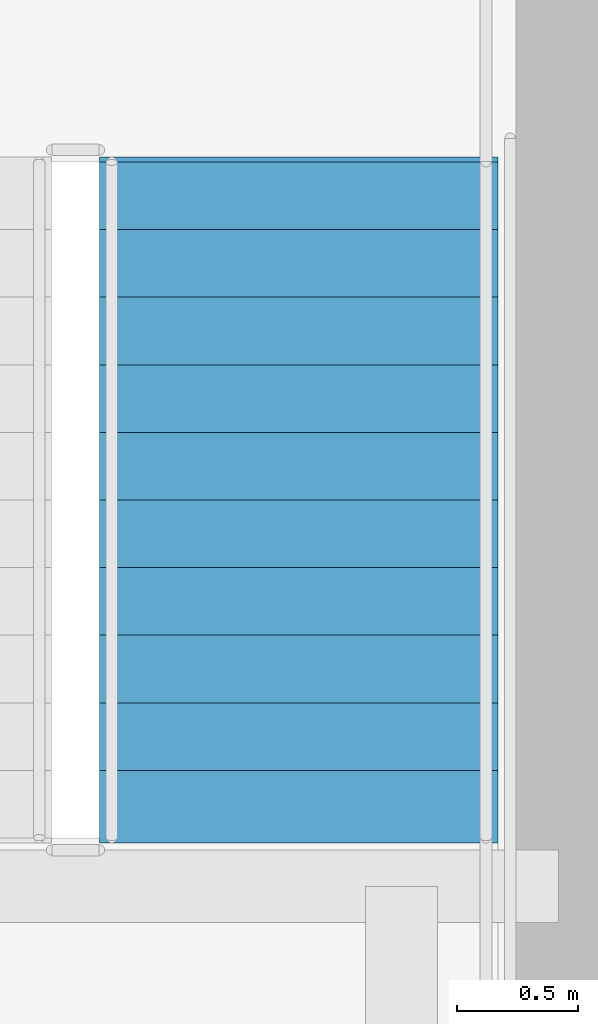
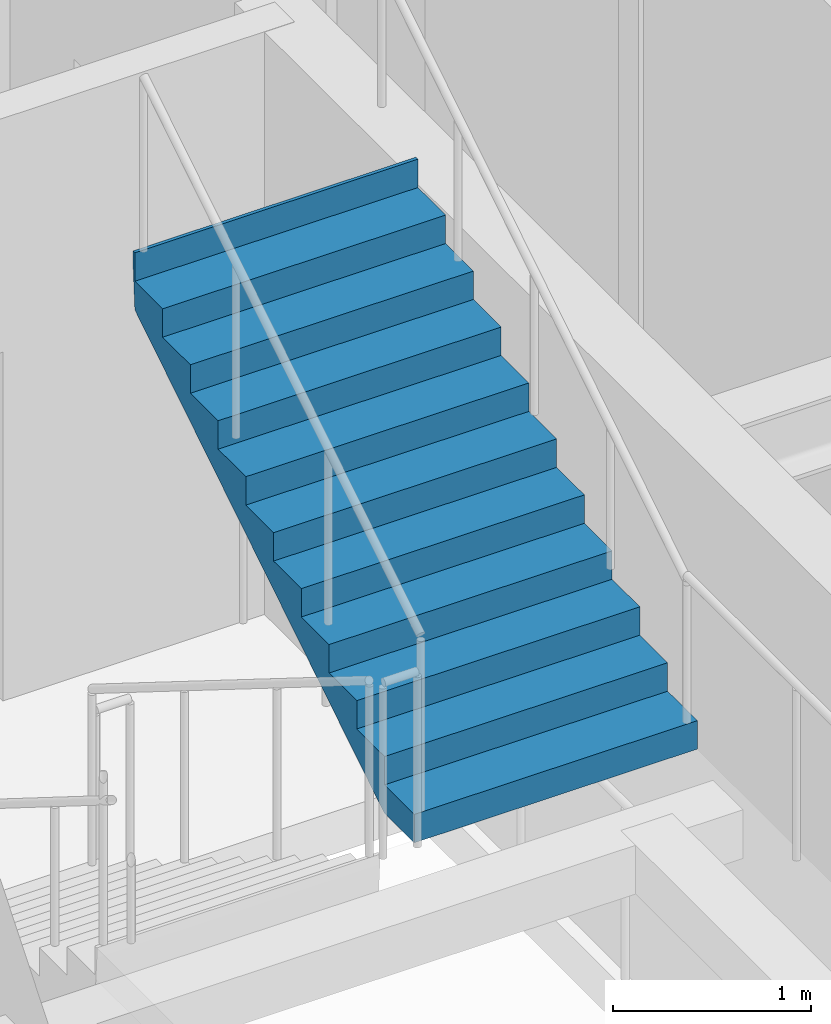
# One storey, part 33 of 38: 1 stair flight, 1 element without a shape of its own.
"""IFC4 building model written with IfcOpenShell, lengths in metres."""

from ifc_helpers import new_model, si_unit, direction, frame, origin, place, context, subcontext, project, spatial, polygons, material, type_object, element, aggregate, save


model = new_model("IFC4")

# Units and contexts
model_context = context("Model", 3, precision=1e-05, world=origin(), true_north=direction((0.0, 1.0)))
body_context = subcontext(model_context, "Body", "Model", "MODEL_VIEW")
ifc_project = project(units=[si_unit("LENGTHUNIT", "METRE"), si_unit("AREAUNIT", "SQUARE_METRE"), si_unit("VOLUMEUNIT", "CUBIC_METRE"), si_unit("PLANEANGLEUNIT", "RADIAN"), si_unit("MASSUNIT", "GRAM", prefix="KILO")], contexts=[model_context])

# Site, building, storey
site_placement = place(None, origin())
site = spatial("IfcSite", under=ifc_project, at=site_placement, CompositionType="ELEMENT")
building_placement = place(site_placement, origin())
building = spatial("IfcBuilding", under=site, at=building_placement, Name="Serunith Strait Residences", CompositionType="ELEMENT")
storey_placement = place(building_placement, frame((0.0, 0.0, 268.199951171875)))
storey = spatial("IfcBuildingStorey", under=building, at=storey_placement, Name="L67", CompositionType="ELEMENT", Elevation=268.199951171875)

# Stair, stair flight
ifc_material = material(Name="Concrete C50/60", Category="concrete")
stair_type = type_object("IfcStairType", Name="STR-CORE-2", PredefinedType="HALF_TURN_STAIR", material=ifc_material)
stair_placement = place(storey_placement, origin())
stair = element("IfcStair", 1, at=stair_placement, inside=storey, type_object=stair_type, Name="L67 Protected Escape Stair ST-2", PredefinedType="HALF_TURN_STAIR")
stair_flight_type = type_object("IfcStairFlightType", Name="FLT-CORE-2", PredefinedType="STRAIGHT", material=ifc_material)
stair_flight_placement = place(storey_placement, frame((40.324951171875, 20.570068359375, 1.925048828125), z_axis=(0.0, 0.0, 1.0), x_axis=(0.0, 1.0, 0.0)))
stair_flight = element("IfcStairFlight", 2, at=stair_flight_placement, type_object=stair_flight_type, Name="ST-2 flight 2", NumberOfRisers=11, NumberOfTreads=10, PredefinedType="STRAIGHT", RiserHeight=0.175, TreadLength=0.28, context=body_context, shape_type="Tessellation", body=[
    polygons([(-0.02001953125, -0.824951171875, 0.0), (-0.02001953125, -0.824951171875, 0.175048828125), (0.280029296875, -0.824951171875, 0.175048828125), (0.280029296875, -0.824951171875, 0.35009765625), (0.56005859375, -0.824951171875, 0.35009765625), (0.56005859375, -0.824951171875, 0.52490234375), (0.840087890625, -0.824951171875, 0.52490234375), (0.840087890625, -0.824951171875, 0.699951171875), (1.1201171875, -0.824951171875, 0.699951171875), (1.1201171875, -0.824951171875, 0.875), (1.39990234375, -0.824951171875, 0.875), (1.39990234375, -0.824951171875, 1.050048828125), (1.679931640625, -0.824951171875, 1.050048828125), (1.679931640625, -0.824951171875, 1.22509765625), (1.9599609375, -0.824951171875, 1.22509765625), (1.9599609375, -0.824951171875, 1.39990234375), (2.239990234375, -0.824951171875, 1.39990234375), (2.239990234375, -0.824951171875, 1.574951171875), (2.52001953125, -0.824951171875, 1.574951171875), (2.52001953125, -0.824951171875, 1.75), (2.800048828125, -0.824951171875, 1.75), (2.800048828125, -0.824951171875, 1.925048828125), (2.820068359375, -0.824951171875, 1.925048828125), (2.820068359375, -0.824951171875, 1.864990234375), (2.800048828125, -0.824951171875, 1.5732421875), (0.28271484375, -0.824951171875, 0.0), (-0.02001953125, -0.41259765625, 0.0), (-0.02001953125, -0.41259765625, 0.175048828125), (0.280029296875, -0.41259765625, 0.175048828125), (0.280029296875, -0.41259765625, 0.35009765625), (0.56005859375, -0.41259765625, 0.35009765625), (0.56005859375, -0.41259765625, 0.52490234375), (0.840087890625, -0.41259765625, 0.52490234375), (0.840087890625, -0.41259765625, 0.699951171875), (1.1201171875, -0.41259765625, 0.699951171875), (1.1201171875, -0.41259765625, 0.875), (1.39990234375, -0.41259765625, 0.875), (1.39990234375, -0.41259765625, 1.050048828125), (1.679931640625, -0.41259765625, 1.050048828125), (1.679931640625, -0.41259765625, 1.22509765625), (1.9599609375, -0.41259765625, 1.22509765625), (1.9599609375, -0.41259765625, 1.39990234375), (2.239990234375, -0.41259765625, 1.39990234375), (2.239990234375, -0.41259765625, 1.574951171875), (2.52001953125, -0.41259765625, 1.574951171875), (2.52001953125, -0.41259765625, 1.75), (2.800048828125, -0.41259765625, 1.75), (2.800048828125, -0.41259765625, 1.925048828125), (2.820068359375, -0.41259765625, 1.925048828125), (2.820068359375, -0.41259765625, 1.864990234375), (2.800048828125, -0.41259765625, 1.5732421875), (0.28271484375, -0.41259765625, 0.0), (-0.02001953125, 0.0, 0.0), (-0.02001953125, 0.0, 0.175048828125), (0.280029296875, 0.0, 0.175048828125), (0.280029296875, 0.0, 0.35009765625), (0.56005859375, 0.0, 0.35009765625), (0.56005859375, 0.0, 0.52490234375), (0.840087890625, 0.0, 0.52490234375), (0.840087890625, 0.0, 0.699951171875), (1.1201171875, 0.0, 0.699951171875), (1.1201171875, 0.0, 0.875), (1.39990234375, 0.0, 0.875), (1.39990234375, 0.0, 1.050048828125), (1.679931640625, 0.0, 1.050048828125), (1.679931640625, 0.0, 1.22509765625), (1.9599609375, 0.0, 1.22509765625), (1.9599609375, 0.0, 1.39990234375), (2.239990234375, 0.0, 1.39990234375), (2.239990234375, 0.0, 1.574951171875), (2.52001953125, 0.0, 1.574951171875), (2.52001953125, 0.0, 1.75), (2.800048828125, 0.0, 1.75), (2.800048828125, 0.0, 1.925048828125), (2.820068359375, 0.0, 1.925048828125), (2.820068359375, 0.0, 1.864990234375), (2.800048828125, 0.0, 1.5732421875), (0.28271484375, 0.0, 0.0), (-0.02001953125, 0.41259765625, 0.0), (-0.02001953125, 0.41259765625, 0.175048828125), (0.280029296875, 0.41259765625, 0.175048828125), (0.280029296875, 0.41259765625, 0.35009765625), (0.56005859375, 0.41259765625, 0.35009765625), (0.56005859375, 0.41259765625, 0.52490234375), (0.840087890625, 0.41259765625, 0.52490234375), (0.840087890625, 0.41259765625, 0.699951171875), (1.1201171875, 0.41259765625, 0.699951171875), (1.1201171875, 0.41259765625, 0.875), (1.39990234375, 0.41259765625, 0.875), (1.39990234375, 0.41259765625, 1.050048828125), (1.679931640625, 0.41259765625, 1.050048828125), (1.679931640625, 0.41259765625, 1.22509765625), (1.9599609375, 0.41259765625, 1.22509765625), (1.9599609375, 0.41259765625, 1.39990234375), (2.239990234375, 0.41259765625, 1.39990234375), (2.239990234375, 0.41259765625, 1.574951171875), (2.52001953125, 0.41259765625, 1.574951171875), (2.52001953125, 0.41259765625, 1.75), (2.800048828125, 0.41259765625, 1.75), (2.800048828125, 0.41259765625, 1.925048828125), (2.820068359375, 0.41259765625, 1.925048828125), (2.820068359375, 0.41259765625, 1.864990234375), (2.800048828125, 0.41259765625, 1.5732421875), (0.28271484375, 0.41259765625, 0.0), (-0.02001953125, 0.824951171875, 0.0), (-0.02001953125, 0.824951171875, 0.175048828125), (0.280029296875, 0.824951171875, 0.175048828125), (0.280029296875, 0.824951171875, 0.35009765625), (0.56005859375, 0.824951171875, 0.35009765625), (0.56005859375, 0.824951171875, 0.52490234375), (0.840087890625, 0.824951171875, 0.52490234375), (0.840087890625, 0.824951171875, 0.699951171875), (1.1201171875, 0.824951171875, 0.699951171875), (1.1201171875, 0.824951171875, 0.875), (1.39990234375, 0.824951171875, 0.875), (1.39990234375, 0.824951171875, 1.050048828125), (1.679931640625, 0.824951171875, 1.050048828125), (1.679931640625, 0.824951171875, 1.22509765625), (1.9599609375, 0.824951171875, 1.22509765625), (1.9599609375, 0.824951171875, 1.39990234375), (2.239990234375, 0.824951171875, 1.39990234375), (2.239990234375, 0.824951171875, 1.574951171875), (2.52001953125, 0.824951171875, 1.574951171875), (2.52001953125, 0.824951171875, 1.75), (2.800048828125, 0.824951171875, 1.75), (2.800048828125, 0.824951171875, 1.925048828125), (2.820068359375, 0.824951171875, 1.925048828125), (2.820068359375, 0.824951171875, 1.864990234375), (2.800048828125, 0.824951171875, 1.5732421875), (0.28271484375, 0.824951171875, 0.0)], [[[1, 2, 28, 27]], [[2, 3, 29, 28]], [[3, 4, 30, 29]], [[4, 5, 31, 30]], [[5, 6, 32, 31]], [[6, 7, 33, 32]], [[7, 8, 34, 33]], [[8, 9, 35, 34]], [[9, 10, 36, 35]], [[10, 11, 37, 36]], [[11, 12, 38, 37]], [[12, 13, 39, 38]], [[13, 14, 40, 39]], [[14, 15, 41, 40]], [[15, 16, 42, 41]], [[16, 17, 43, 42]], [[17, 18, 44, 43]], [[18, 19, 45, 44]], [[19, 20, 46, 45]], [[20, 21, 47, 46]], [[21, 22, 48, 47]], [[22, 23, 49, 48]], [[23, 24, 50, 49]], [[24, 25, 51, 50]], [[25, 26, 52, 51]], [[26, 1, 27, 52]], [[27, 28, 54, 53]], [[28, 29, 55, 54]], [[29, 30, 56, 55]], [[30, 31, 57, 56]], [[31, 32, 58, 57]], [[32, 33, 59, 58]], [[33, 34, 60, 59]], [[34, 35, 61, 60]], [[35, 36, 62, 61]], [[36, 37, 63, 62]], [[37, 38, 64, 63]], [[38, 39, 65, 64]], [[39, 40, 66, 65]], [[40, 41, 67, 66]], [[41, 42, 68, 67]], [[42, 43, 69, 68]], [[43, 44, 70, 69]], [[44, 45, 71, 70]], [[45, 46, 72, 71]], [[46, 47, 73, 72]], [[47, 48, 74, 73]], [[48, 49, 75, 74]], [[49, 50, 76, 75]], [[50, 51, 77, 76]], [[51, 52, 78, 77]], [[52, 27, 53, 78]], [[53, 54, 80, 79]], [[54, 55, 81, 80]], [[55, 56, 82, 81]], [[56, 57, 83, 82]], [[57, 58, 84, 83]], [[58, 59, 85, 84]], [[59, 60, 86, 85]], [[60, 61, 87, 86]], [[61, 62, 88, 87]], [[62, 63, 89, 88]], [[63, 64, 90, 89]], [[64, 65, 91, 90]], [[65, 66, 92, 91]], [[66, 67, 93, 92]], [[67, 68, 94, 93]], [[68, 69, 95, 94]], [[69, 70, 96, 95]], [[70, 71, 97, 96]], [[71, 72, 98, 97]], [[72, 73, 99, 98]], [[73, 74, 100, 99]], [[74, 75, 101, 100]], [[75, 76, 102, 101]], [[76, 77, 103, 102]], [[77, 78, 104, 103]], [[78, 53, 79, 104]], [[79, 80, 106, 105]], [[80, 81, 107, 106]], [[81, 82, 108, 107]], [[82, 83, 109, 108]], [[83, 84, 110, 109]], [[84, 85, 111, 110]], [[85, 86, 112, 111]], [[86, 87, 113, 112]], [[87, 88, 114, 113]], [[88, 89, 115, 114]], [[89, 90, 116, 115]], [[90, 91, 117, 116]], [[91, 92, 118, 117]], [[92, 93, 119, 118]], [[93, 94, 120, 119]], [[94, 95, 121, 120]], [[95, 96, 122, 121]], [[96, 97, 123, 122]], [[97, 98, 124, 123]], [[98, 99, 125, 124]], [[99, 100, 126, 125]], [[100, 101, 127, 126]], [[101, 102, 128, 127]], [[102, 103, 129, 128]], [[103, 104, 130, 129]], [[104, 79, 105, 130]], [[26, 25, 24, 23, 22, 21, 20, 19, 18, 17, 16, 15, 14, 13, 12, 11, 10, 9, 8, 7, 6, 5, 4, 3, 2, 1]], [[105, 106, 107, 108, 109, 110, 111, 112, 113, 114, 115, 116, 117, 118, 119, 120, 121, 122, 123, 124, 125, 126, 127, 128, 129, 130]]], closed=True),
])
aggregate(stair, [stair_flight])

save(model, "model.ifc")
